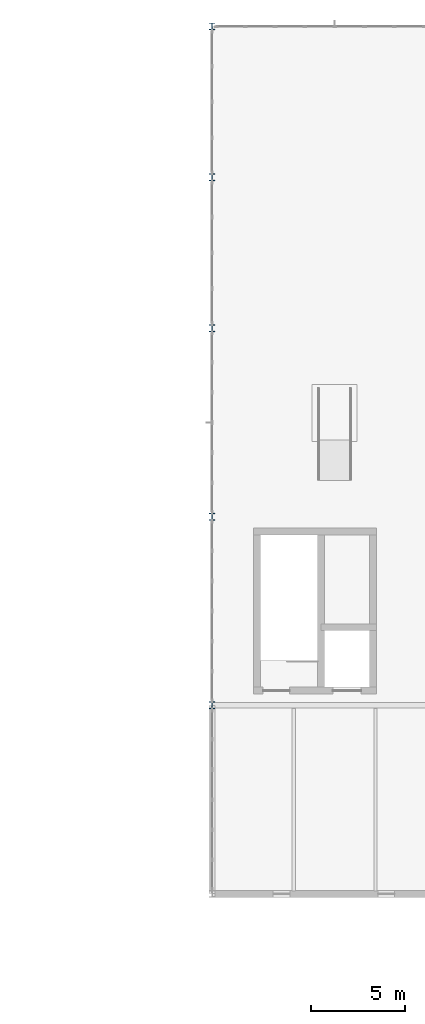
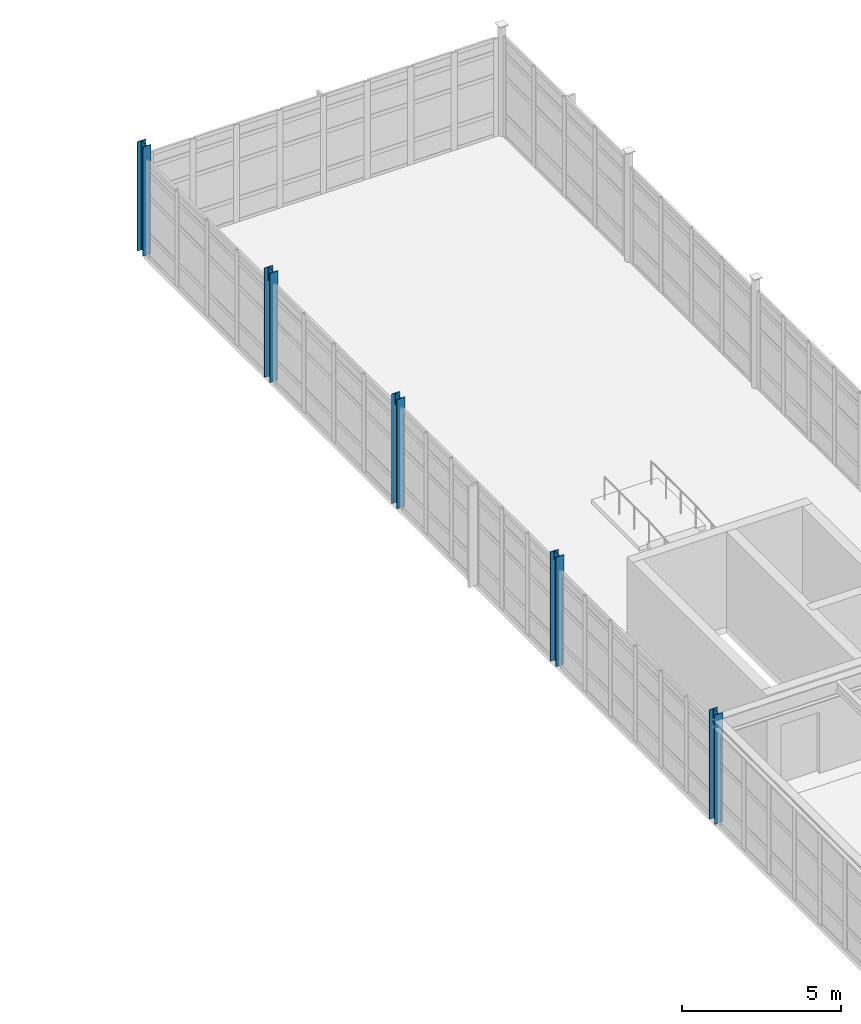
# One storey, part 14 of 122: 5 columns.
"""IFC4 building model written with IfcOpenShell, lengths in metres."""

import ifcopenshell
import ifcopenshell.guid

model = None  # the IFC model being written
_history = None  # IfcOwnerHistory: only IFC2X3 demands one
_inside = {}  # id of a spatial element -> (the spatial element, [elements in it])
_under = {}  # id of a project, library or spatial element -> (it, [spatial elements below it])
_declared = {}  # id of a project -> (the project, [libraries it declares])
_typed = {}  # id of a type object -> (the type object, [elements of that type])
_made_of = {}  # id of a material, layer set ... -> (it, [elements and type objects made of it])


def new_model(schema):
    """Start an empty IFC model of exactly this schema.

    Asked for "IFC4X3", IfcOpenShell would pick the latest addendum, in which some entities
    have other attributes; the version numbers below select the first issue.
    IFC2X3 requires an IfcOwnerHistory on every rooted entity: one is made here for all.
    """
    global model, _history
    if schema == "IFC4X3":
        model = ifcopenshell.file(schema_version=(4, 3, 0, 0))
    else:
        model = ifcopenshell.file(schema=schema)
    _inside.clear()
    _under.clear()
    _declared.clear()
    _typed.clear()
    _made_of.clear()
    _history = None
    if model.schema == "IFC2X3":
        org = make("IfcOrganization", Name="unknown")
        user = make(
            "IfcPersonAndOrganization",
            ThePerson=make("IfcPerson", FamilyName="unknown"),
            TheOrganization=org,
        )
        app = make(
            "IfcApplication",
            ApplicationDeveloper=org,
            Version="unknown",
            ApplicationFullName="unknown",
            ApplicationIdentifier="unknown",
        )
        _history = make(
            "IfcOwnerHistory",
            OwningUser=user,
            OwningApplication=app,
            ChangeAction="ADDED",
            CreationDate=0,
        )
    return model


def make(cls, **values):
    """One entity of the class cls with the attributes given. An attribute that is None is left unset."""
    return model.create_entity(
        cls, **{name: value for name, value in values.items() if value is not None}
    )


def rooted(cls, **values):
    """An entity with a GlobalId (a new one), such as an element, a storey or a relation."""
    return make(cls, GlobalId=ifcopenshell.guid.new(), OwnerHistory=_history, **values)


def si_unit(unit_type, name, prefix=None):
    """IfcSIUnit, for example si_unit("LENGTHUNIT", "METRE", prefix="MILLI")."""
    return make("IfcSIUnit", UnitType=unit_type, Prefix=prefix, Name=name)


def assignment(units):
    """IfcUnitAssignment: the units of a project."""
    return None if units is None else make("IfcUnitAssignment", Units=units)


def point(xyz):
    """IfcCartesianPoint."""
    return None if xyz is None else make("IfcCartesianPoint", Coordinates=xyz)


def direction(xyz):
    """IfcDirection."""
    return None if xyz is None else make("IfcDirection", DirectionRatios=xyz)


def frame(location, z_axis=None, x_axis=None):
    """IfcAxis2Placement3D, a coordinate frame: its origin and axes. An axis left out is left unset."""
    return make(
        "IfcAxis2Placement3D",
        Location=point(location),
        Axis=direction(z_axis),
        RefDirection=direction(x_axis),
    )


def frame_2d(location, x_axis=None):
    """IfcAxis2Placement2D, a coordinate frame in the plane: its origin and x axis."""
    return make(
        "IfcAxis2Placement2D", Location=point(location), RefDirection=direction(x_axis)
    )


def origin():
    """The frame at (0, 0, 0) with its axes left unset."""
    return frame((0.0, 0.0, 0.0))


def origin_2d():
    """The frame at (0, 0) in the plane with its x axis left unset."""
    return frame_2d((0.0, 0.0))


def place(relative_to, where):
    """IfcLocalPlacement: puts the frame where relative to a parent placement (None: the world)."""
    return make(
        "IfcLocalPlacement", PlacementRelTo=relative_to, RelativePlacement=where
    )


def context(
    kind, dimensions, precision=None, world=None, true_north=None, identifier=None
):
    """IfcGeometricRepresentationContext, for example the 3D "Model" context."""
    return make(
        "IfcGeometricRepresentationContext",
        ContextIdentifier=identifier,
        ContextType=kind,
        CoordinateSpaceDimension=dimensions,
        Precision=precision,
        WorldCoordinateSystem=world,
        TrueNorth=true_north,
    )


def subcontext(parent, identifier, kind, view, scale=None):
    """IfcGeometricRepresentationSubContext, for example "Body" below "Model"."""
    return make(
        "IfcGeometricRepresentationSubContext",
        ContextIdentifier=identifier,
        ContextType=kind,
        ParentContext=parent,
        TargetScale=scale,
        TargetView=view,
    )


def project(units=None, contexts=None):
    """IfcProject with its units and contexts."""
    return rooted(
        "IfcProject",
        Name="project",
        RepresentationContexts=contexts,
        UnitsInContext=assignment(units),
    )


def spatial(cls, under=None, at=None, **own):
    """A site, building, storey or space (cls), placed at a placement, below another one or the project."""
    s = rooted(cls, ObjectPlacement=at, **own)
    if under is not None:
        _under.setdefault(under.id(), (under, []))[1].append(s)
    return s


def profile(cls, at=None, kind="AREA", **sizes):
    """A parametric profile (cls). Its sizes go by their IFC names, for example OverallWidth=200.0."""
    return make(cls, ProfileType=kind, Position=at, **sizes)


def i_section(**sizes):
    """IfcIShapeProfileDef."""
    return profile("IfcIShapeProfileDef", **sizes)


def extrude(swept, where, along, depth):
    """IfcExtrudedAreaSolid: the profile swept, set in the frame where, extruded along a direction by depth."""
    return make(
        "IfcExtrudedAreaSolid",
        SweptArea=swept,
        Position=where,
        ExtrudedDirection=direction(along),
        Depth=depth,
    )


def shape(context_of_items, identifier, shape_type, items):
    """IfcShapeRepresentation: the items that make up one representation, for example the "Body"."""
    return make(
        "IfcShapeRepresentation",
        ContextOfItems=context_of_items,
        RepresentationIdentifier=identifier,
        RepresentationType=shape_type,
        Items=items,
    )


def material(Name=None, Category=None):
    """IfcMaterial."""
    return make("IfcMaterial", Name=Name, Category=Category)


def material_profile(
    of_material, cross_section, Name=None, Category=None, Priority=None
):
    """IfcMaterialProfile: a cross section and its material."""
    return make(
        "IfcMaterialProfile",
        Name=Name,
        Material=of_material,
        Profile=cross_section,
        Priority=Priority,
        Category=Category,
    )


def profile_set(profiles, Name=None, composite=None):
    """IfcMaterialProfileSet."""
    return make(
        "IfcMaterialProfileSet",
        Name=Name,
        MaterialProfiles=profiles,
        CompositeProfile=composite,
    )


def made_of(thing, what):
    """Note that an element or type object is made of a material, layer set ...; save() writes the relation."""
    if what is not None:
        _made_of.setdefault(what.id(), (what, []))[1].append(thing)
    return thing


def type_object(cls, material=None, **own):
    """A type object (cls), such as IfcWallType, which elements share."""
    return made_of(rooted(cls, **own), material)


def element(
    cls,
    number,
    at=None,
    inside=None,
    cuts=None,
    type_object=None,
    material=None,
    context=None,
    identifier="Body",
    shape_type=None,
    held_by="IfcProductDefinitionShape",
    body=None,
    shapes=None,
    **own,
):
    """One element of the class cls, such as IfcWall. Its Tag is "e" and its number.

    at: its placement. inside: the storey or other place that contains it. cuts: it is an
    opening in that element (IfcRelVoidsElement). A single representation is given by context,
    identifier, shape_type and body (its items); several are given by shapes. held_by: the class
    of the entity that holds the representations. save() writes the other relations.
    """
    e = rooted(cls, Tag="e%d" % number, ObjectPlacement=at, **own)
    if body is not None:
        shapes = [shape(context, identifier, shape_type, body)]
    if shapes is not None:
        e.Representation = make(held_by, Representations=shapes)
    if inside is not None:
        _inside.setdefault(inside.id(), (inside, []))[1].append(e)
    if cuts is not None:
        rooted(
            "IfcRelVoidsElement", RelatingBuildingElement=cuts, RelatedOpeningElement=e
        )
    if type_object is not None:
        _typed.setdefault(type_object.id(), (type_object, []))[1].append(e)
    return made_of(e, material)


def aggregate(whole, parts):
    """IfcRelAggregates: a whole, such as a stair, and the parts it consists of."""
    return rooted("IfcRelAggregates", RelatingObject=whole, RelatedObjects=parts)


def save(model, path):
    """Write the relations noted so far, then the file.

    IfcRelAggregates (storeys below a building ...), IfcRelContainedInSpatialStructure (elements
    in a storey), IfcRelDefinesByType, IfcRelAssociatesMaterial and IfcRelDeclares: one each for
    every whole, place, type object, material and project.
    """
    for whole, parts in _under.values():
        aggregate(whole, parts)
    for where, things in _inside.values():
        rooted(
            "IfcRelContainedInSpatialStructure",
            RelatedElements=things,
            RelatingStructure=where,
        )
    for kind, things in _typed.values():
        rooted("IfcRelDefinesByType", RelatedObjects=things, RelatingType=kind)
    for what, things in _made_of.values():
        rooted("IfcRelAssociatesMaterial", RelatedObjects=things, RelatingMaterial=what)
    for by, libraries in _declared.values():
        rooted("IfcRelDeclares", RelatingContext=by, RelatedDefinitions=libraries)
    model.write(path)


model = new_model("IFC4")

# Units and contexts
model_context = context("Model", 3, precision=1e-05, world=origin(), true_north=direction((0.0, 1.0)))
body_context = subcontext(model_context, "Body", "Model", "MODEL_VIEW")
ifc_project = project(units=[si_unit("LENGTHUNIT", "METRE"), si_unit("AREAUNIT", "SQUARE_METRE"), si_unit("VOLUMEUNIT", "CUBIC_METRE"), si_unit("PLANEANGLEUNIT", "RADIAN"), si_unit("MASSUNIT", "GRAM", prefix="KILO"), si_unit("THERMODYNAMICTEMPERATUREUNIT", "KELVIN"), si_unit("POWERUNIT", "WATT")], contexts=[model_context])

# Site, building, storey
site_placement = place(None, origin())
site = spatial("IfcSite", under=ifc_project, at=site_placement, CompositionType="ELEMENT")
building_placement = place(site_placement, origin())
building = spatial("IfcBuilding", under=site, at=building_placement, Name="Korenveer Ferry Terminal", CompositionType="ELEMENT")
storey_placement = place(building_placement, frame((0.0, 0.0, 10.199951171875)))
storey = spatial("IfcBuildingStorey", under=building, at=storey_placement, Name="L02", CompositionType="ELEMENT", Elevation=10.199951171875)

# Columns
ifc_material = material(Name="Steel S355", Category="steel")
ifc_material_profile = material_profile(ifc_material, i_section(OverallWidth=0.300048828125, OverallDepth=0.360107421875, WebThickness=0.012451171875, FlangeThickness=0.0224609375, FilletRadius=0.027099609375, at=origin_2d()), Name="HEB 360")
ifc_profile_set = profile_set([ifc_material_profile], Name="Steel S355")
column_type = type_object("IfcColumnType", Name="STR-COL-HEB360", PredefinedType="COLUMN", material=ifc_profile_set)
for number, where, z_axis, x_axis, name in (
    (1, (123.0, 80.0, 0.0), (0.0, 0.0, 1.0), (1.0, 0.0, 0.0), "Column COL-L02-X123-Y80"),
    (2, (123.0, 90.0, 0.0), (0.0, 0.0, 1.0), (1.0, 0.0, 0.0), "Column COL-L02-X123-Y90"),
    (3, (123.0, 100.0, 0.0), (0.0, 0.0, 1.0), (1.0, 0.0, 0.0), "Column COL-L02-X123-Y100"),
    (4, (123.0, 108.0, 0.0), (0.0, 0.0, 1.0), (1.0, 0.0, 0.0), "Column COL-L02-X123-Y108"),
    (5, (123.0, 116.0, 0.0), (0.0, 0.0, 1.0), (1.0, 0.0, 0.0), "Column COL-L02-X123-Y116"),
):
    element("IfcColumn", number, at=place(storey_placement, frame(where, z_axis=z_axis, x_axis=x_axis)), inside=storey, type_object=column_type, Name=name, PredefinedType="COLUMN", context=body_context, shape_type="SweptSolid", body=[
        extrude(i_section(OverallWidth=0.300048828125, OverallDepth=0.360107421875, WebThickness=0.012451171875, FlangeThickness=0.0224609375, FilletRadius=0.027099609375, at=origin_2d()), origin(), (0.0, 0.0, 1.0), 4.199951171875),
    ])

save(model, "model.ifc")
